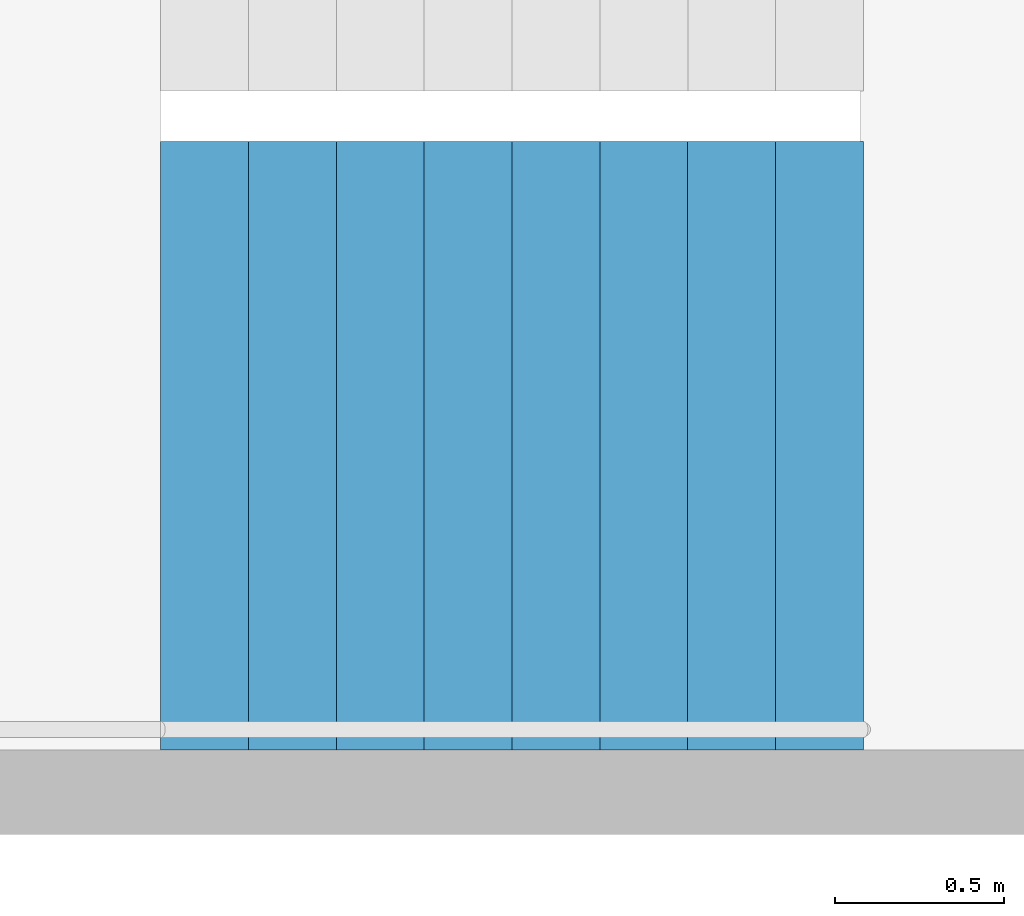
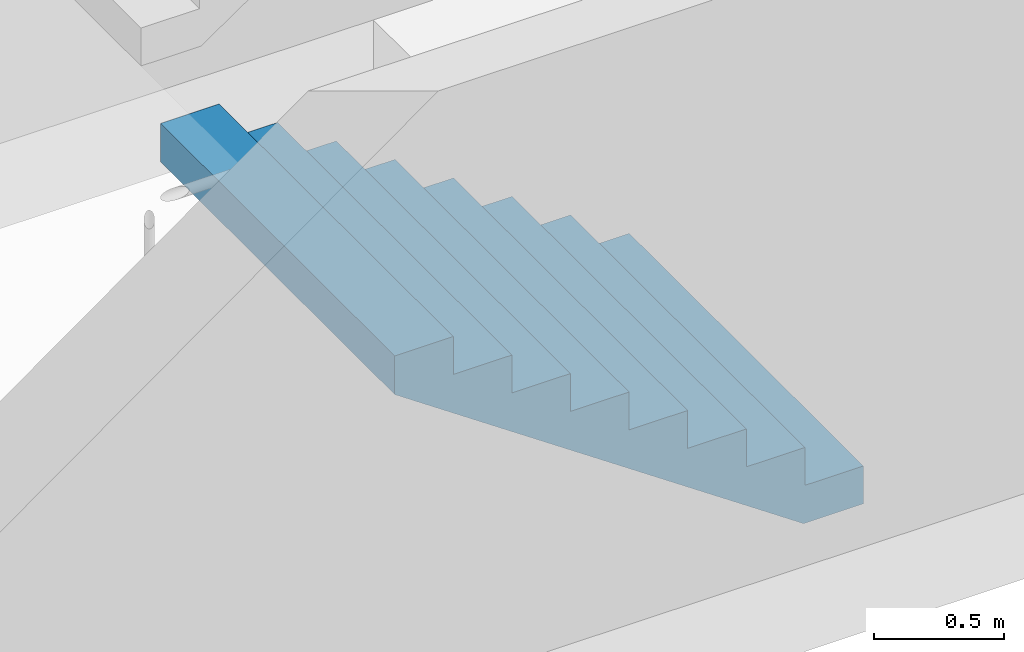
# One storey, part 27 of 29: 1 stair flight, 1 element without a shape of its own.
"""IFC4 building model written with IfcOpenShell, lengths in metres."""

import ifcopenshell
import ifcopenshell.guid

model = None  # the IFC model being written
_history = None  # IfcOwnerHistory: only IFC2X3 demands one
_inside = {}  # id of a spatial element -> (the spatial element, [elements in it])
_under = {}  # id of a project, library or spatial element -> (it, [spatial elements below it])
_declared = {}  # id of a project -> (the project, [libraries it declares])
_typed = {}  # id of a type object -> (the type object, [elements of that type])
_made_of = {}  # id of a material, layer set ... -> (it, [elements and type objects made of it])


def new_model(schema):
    """Start an empty IFC model of exactly this schema.

    Asked for "IFC4X3", IfcOpenShell would pick the latest addendum, in which some entities
    have other attributes; the version numbers below select the first issue.
    IFC2X3 requires an IfcOwnerHistory on every rooted entity: one is made here for all.
    """
    global model, _history
    if schema == "IFC4X3":
        model = ifcopenshell.file(schema_version=(4, 3, 0, 0))
    else:
        model = ifcopenshell.file(schema=schema)
    _inside.clear()
    _under.clear()
    _declared.clear()
    _typed.clear()
    _made_of.clear()
    _history = None
    if model.schema == "IFC2X3":
        org = make("IfcOrganization", Name="unknown")
        user = make(
            "IfcPersonAndOrganization",
            ThePerson=make("IfcPerson", FamilyName="unknown"),
            TheOrganization=org,
        )
        app = make(
            "IfcApplication",
            ApplicationDeveloper=org,
            Version="unknown",
            ApplicationFullName="unknown",
            ApplicationIdentifier="unknown",
        )
        _history = make(
            "IfcOwnerHistory",
            OwningUser=user,
            OwningApplication=app,
            ChangeAction="ADDED",
            CreationDate=0,
        )
    return model


def make(cls, **values):
    """One entity of the class cls with the attributes given. An attribute that is None is left unset."""
    return model.create_entity(
        cls, **{name: value for name, value in values.items() if value is not None}
    )


def rooted(cls, **values):
    """An entity with a GlobalId (a new one), such as an element, a storey or a relation."""
    return make(cls, GlobalId=ifcopenshell.guid.new(), OwnerHistory=_history, **values)


def si_unit(unit_type, name, prefix=None):
    """IfcSIUnit, for example si_unit("LENGTHUNIT", "METRE", prefix="MILLI")."""
    return make("IfcSIUnit", UnitType=unit_type, Prefix=prefix, Name=name)


def assignment(units):
    """IfcUnitAssignment: the units of a project."""
    return None if units is None else make("IfcUnitAssignment", Units=units)


def point(xyz):
    """IfcCartesianPoint."""
    return None if xyz is None else make("IfcCartesianPoint", Coordinates=xyz)


def direction(xyz):
    """IfcDirection."""
    return None if xyz is None else make("IfcDirection", DirectionRatios=xyz)


def frame(location, z_axis=None, x_axis=None):
    """IfcAxis2Placement3D, a coordinate frame: its origin and axes. An axis left out is left unset."""
    return make(
        "IfcAxis2Placement3D",
        Location=point(location),
        Axis=direction(z_axis),
        RefDirection=direction(x_axis),
    )


def origin():
    """The frame at (0, 0, 0) with its axes left unset."""
    return frame((0.0, 0.0, 0.0))


def place(relative_to, where):
    """IfcLocalPlacement: puts the frame where relative to a parent placement (None: the world)."""
    return make(
        "IfcLocalPlacement", PlacementRelTo=relative_to, RelativePlacement=where
    )


def context(
    kind, dimensions, precision=None, world=None, true_north=None, identifier=None
):
    """IfcGeometricRepresentationContext, for example the 3D "Model" context."""
    return make(
        "IfcGeometricRepresentationContext",
        ContextIdentifier=identifier,
        ContextType=kind,
        CoordinateSpaceDimension=dimensions,
        Precision=precision,
        WorldCoordinateSystem=world,
        TrueNorth=true_north,
    )


def subcontext(parent, identifier, kind, view, scale=None):
    """IfcGeometricRepresentationSubContext, for example "Body" below "Model"."""
    return make(
        "IfcGeometricRepresentationSubContext",
        ContextIdentifier=identifier,
        ContextType=kind,
        ParentContext=parent,
        TargetScale=scale,
        TargetView=view,
    )


def project(units=None, contexts=None):
    """IfcProject with its units and contexts."""
    return rooted(
        "IfcProject",
        Name="project",
        RepresentationContexts=contexts,
        UnitsInContext=assignment(units),
    )


def spatial(cls, under=None, at=None, **own):
    """A site, building, storey or space (cls), placed at a placement, below another one or the project."""
    s = rooted(cls, ObjectPlacement=at, **own)
    if under is not None:
        _under.setdefault(under.id(), (under, []))[1].append(s)
    return s


def point_list(points):
    """IfcCartesianPointList2D or 3D."""
    cls = (
        "IfcCartesianPointList2D" if len(points[0]) == 2 else "IfcCartesianPointList3D"
    )
    return make(cls, CoordList=points)


def triangles(points, corners, closed=None, point_numbers=None):
    """IfcTriangulatedFaceSet: each triangle names its three corners, points numbered from 1."""
    return make(
        "IfcTriangulatedFaceSet",
        Coordinates=point_list(points),
        Closed=closed,
        CoordIndex=corners,
        PnIndex=point_numbers,
    )


def shape(context_of_items, identifier, shape_type, items):
    """IfcShapeRepresentation: the items that make up one representation, for example the "Body"."""
    return make(
        "IfcShapeRepresentation",
        ContextOfItems=context_of_items,
        RepresentationIdentifier=identifier,
        RepresentationType=shape_type,
        Items=items,
    )


def material(Name=None, Category=None):
    """IfcMaterial."""
    return make("IfcMaterial", Name=Name, Category=Category)


def made_of(thing, what):
    """Note that an element or type object is made of a material, layer set ...; save() writes the relation."""
    if what is not None:
        _made_of.setdefault(what.id(), (what, []))[1].append(thing)
    return thing


def type_object(cls, material=None, **own):
    """A type object (cls), such as IfcWallType, which elements share."""
    return made_of(rooted(cls, **own), material)


def element(
    cls,
    number,
    at=None,
    inside=None,
    cuts=None,
    type_object=None,
    material=None,
    context=None,
    identifier="Body",
    shape_type=None,
    held_by="IfcProductDefinitionShape",
    body=None,
    shapes=None,
    **own,
):
    """One element of the class cls, such as IfcWall. Its Tag is "e" and its number.

    at: its placement. inside: the storey or other place that contains it. cuts: it is an
    opening in that element (IfcRelVoidsElement). A single representation is given by context,
    identifier, shape_type and body (its items); several are given by shapes. held_by: the class
    of the entity that holds the representations. save() writes the other relations.
    """
    e = rooted(cls, Tag="e%d" % number, ObjectPlacement=at, **own)
    if body is not None:
        shapes = [shape(context, identifier, shape_type, body)]
    if shapes is not None:
        e.Representation = make(held_by, Representations=shapes)
    if inside is not None:
        _inside.setdefault(inside.id(), (inside, []))[1].append(e)
    if cuts is not None:
        rooted(
            "IfcRelVoidsElement", RelatingBuildingElement=cuts, RelatedOpeningElement=e
        )
    if type_object is not None:
        _typed.setdefault(type_object.id(), (type_object, []))[1].append(e)
    return made_of(e, material)


def aggregate(whole, parts):
    """IfcRelAggregates: a whole, such as a stair, and the parts it consists of."""
    return rooted("IfcRelAggregates", RelatingObject=whole, RelatedObjects=parts)


def save(model, path):
    """Write the relations noted so far, then the file.

    IfcRelAggregates (storeys below a building ...), IfcRelContainedInSpatialStructure (elements
    in a storey), IfcRelDefinesByType, IfcRelAssociatesMaterial and IfcRelDeclares: one each for
    every whole, place, type object, material and project.
    """
    for whole, parts in _under.values():
        aggregate(whole, parts)
    for where, things in _inside.values():
        rooted(
            "IfcRelContainedInSpatialStructure",
            RelatedElements=things,
            RelatingStructure=where,
        )
    for kind, things in _typed.values():
        rooted("IfcRelDefinesByType", RelatedObjects=things, RelatingType=kind)
    for what, things in _made_of.values():
        rooted("IfcRelAssociatesMaterial", RelatedObjects=things, RelatingMaterial=what)
    for by, libraries in _declared.values():
        rooted("IfcRelDeclares", RelatingContext=by, RelatedDefinitions=libraries)
    model.write(path)


model = new_model("IFC4")

# Units and contexts
model_context = context("Model", 3, precision=1e-05, world=origin(), true_north=direction((0.0, 1.0)))
body_context = subcontext(model_context, "Body", "Model", "MODEL_VIEW")
ifc_project = project(units=[si_unit("LENGTHUNIT", "METRE"), si_unit("AREAUNIT", "SQUARE_METRE"), si_unit("VOLUMEUNIT", "CUBIC_METRE"), si_unit("PLANEANGLEUNIT", "RADIAN"), si_unit("MASSUNIT", "GRAM", prefix="KILO")], contexts=[model_context])

# Site, building, storey
site_placement = place(None, origin())
site = spatial("IfcSite", under=ifc_project, at=site_placement, CompositionType="ELEMENT")
building_placement = place(site_placement, origin())
building = spatial("IfcBuilding", under=site, at=building_placement, Name="Hakoniwa Tower and Hamabe Station Hall", CompositionType="ELEMENT")
storey_placement = place(building_placement, frame((0.0, 0.0, 91.39990234375)))
storey = spatial("IfcBuildingStorey", under=building, at=storey_placement, Name="L25", CompositionType="ELEMENT", Elevation=91.39990234375)

# Stair, stair flight
ifc_material_1 = material(Name="Concrete C40", Category="concrete")
stair_type = type_object("IfcStairType", Name="ESCAPE STAIR 1800", PredefinedType="HALF_TURN_STAIR", material=ifc_material_1)
stair_placement = place(storey_placement, origin())
stair = element("IfcStair", 1, at=stair_placement, inside=storey, type_object=stair_type, Name="Escape stair ST-3 L25", PredefinedType="HALF_TURN_STAIR")
ifc_material_2 = material(Name="Concrete C40", Category="concrete")
stair_flight_type = type_object("IfcStairFlightType", Name="STAIR FLIGHT 1800", PredefinedType="STRAIGHT", material=ifc_material_2)
stair_flight_placement = place(storey_placement, frame((24.39990234375, 4.64990234375, 0.0), z_axis=(0.0, 0.0, 1.0), x_axis=(-1.0, 0.0, 0.0)))
stair_flight = element("IfcStairFlight", 2, at=stair_flight_placement, type_object=stair_flight_type, Name="ST-3 flight 1", NumberOfRisers=9, NumberOfTreads=8, PredefinedType="STRAIGHT", RiserHeight=0.177777778, TreadLength=0.26, context=body_context, shape_type="Tessellation", body=[
    triangles([(0.0, 0.89990234375, 0.0), (0.260009765625, 0.89990234375, 0.0), (0.265625, 0.89990234375, 0.0), (0.52001953125, 0.89990234375, 0.174072265625), (0.780029296875, 0.89990234375, 0.351806640625), (1.0400390625, 0.89990234375, 0.529541015625), (1.300048828125, 0.89990234375, 0.707275390625), (1.56005859375, 0.89990234375, 0.885009765625), (1.820068359375, 0.89990234375, 1.062744140625), (2.080078125, 0.89990234375, 1.24072265625), (2.080078125, 0.89990234375, 1.422119140625), (1.820068359375, 0.89990234375, 1.422119140625), (1.820068359375, 0.89990234375, 1.244384765625), (1.56005859375, 0.89990234375, 1.244384765625), (1.56005859375, 0.89990234375, 1.066650390625), (1.300048828125, 0.89990234375, 1.066650390625), (1.300048828125, 0.89990234375, 0.888916015625), (1.0400390625, 0.89990234375, 0.888916015625), (1.0400390625, 0.89990234375, 0.711181640625), (0.780029296875, 0.89990234375, 0.711181640625), (0.780029296875, 0.89990234375, 0.533447265625), (0.52001953125, 0.89990234375, 0.533447265625), (0.52001953125, 0.89990234375, 0.35546875), (0.265625, 0.89990234375, 0.35546875), (0.260009765625, 0.89990234375, 0.35546875), (0.260009765625, 0.89990234375, 0.177734375), (0.0, 0.89990234375, 0.177734375), (0.0, 0.06005859375, 0.0), (0.260009765625, 0.06005859375, 0.0), (0.265625, 0.06005859375, 0.0), (0.52001953125, 0.06005859375, 0.174072265625), (0.780029296875, 0.06005859375, 0.351806640625), (1.0400390625, 0.06005859375, 0.529541015625), (1.300048828125, 0.06005859375, 0.707275390625), (1.56005859375, 0.06005859375, 0.885009765625), (1.820068359375, 0.06005859375, 1.062744140625), (2.080078125, 0.06005859375, 1.24072265625), (2.080078125, 0.06005859375, 1.422119140625), (1.820068359375, 0.06005859375, 1.422119140625), (1.820068359375, 0.06005859375, 1.244384765625), (1.56005859375, 0.06005859375, 1.244384765625), (1.56005859375, 0.06005859375, 1.066650390625), (1.300048828125, 0.06005859375, 1.066650390625), (1.300048828125, 0.06005859375, 0.888916015625), (1.0400390625, 0.06005859375, 0.888916015625), (1.0400390625, 0.06005859375, 0.711181640625), (0.780029296875, 0.06005859375, 0.711181640625), (0.780029296875, 0.06005859375, 0.533447265625), (0.52001953125, 0.06005859375, 0.533447265625), (0.52001953125, 0.06005859375, 0.35546875), (0.265625, 0.06005859375, 0.35546875), (0.260009765625, 0.06005859375, 0.35546875), (0.260009765625, 0.06005859375, 0.177734375), (0.0, 0.06005859375, 0.177734375), (0.0, 0.04296875, 0.0), (0.260009765625, 0.04296875, 0.0), (0.265625, 0.04296875, 0.0), (0.52001953125, 0.04296875, 0.174072265625), (0.780029296875, 0.04296875, 0.351806640625), (1.0400390625, 0.04296875, 0.529541015625), (1.300048828125, 0.04296875, 0.707275390625), (1.56005859375, 0.04296875, 0.885009765625), (1.820068359375, 0.04296875, 1.062744140625), (2.080078125, 0.04296875, 1.24072265625), (2.080078125, 0.04296875, 1.422119140625), (1.820068359375, 0.04296875, 1.422119140625), (1.820068359375, 0.04296875, 1.244384765625), (1.56005859375, 0.04296875, 1.244384765625), (1.56005859375, 0.04296875, 1.066650390625), (1.300048828125, 0.04296875, 1.066650390625), (1.300048828125, 0.04296875, 0.888916015625), (1.0400390625, 0.04296875, 0.888916015625), (1.0400390625, 0.04296875, 0.711181640625), (0.780029296875, 0.04296875, 0.711181640625), (0.780029296875, 0.04296875, 0.533447265625), (0.52001953125, 0.04296875, 0.533447265625), (0.52001953125, 0.04296875, 0.35546875), (0.265625, 0.04296875, 0.35546875), (0.260009765625, 0.04296875, 0.35546875), (0.260009765625, 0.04296875, 0.177734375), (0.0, 0.04296875, 0.177734375), (0.0, 0.025634765625, 0.0), (0.260009765625, 0.025634765625, 0.0), (0.265625, 0.025634765625, 0.0), (0.52001953125, 0.025634765625, 0.174072265625), (0.780029296875, 0.025634765625, 0.351806640625), (1.0400390625, 0.025634765625, 0.529541015625), (1.300048828125, 0.025634765625, 0.707275390625), (1.56005859375, 0.025634765625, 0.885009765625), (1.820068359375, 0.025634765625, 1.062744140625), (2.080078125, 0.025634765625, 1.24072265625), (2.080078125, 0.025634765625, 1.422119140625), (1.820068359375, 0.025634765625, 1.422119140625), (1.820068359375, 0.025634765625, 1.244384765625), (1.56005859375, 0.025634765625, 1.244384765625), (1.56005859375, 0.025634765625, 1.066650390625), (1.300048828125, 0.025634765625, 1.066650390625), (1.300048828125, 0.025634765625, 0.888916015625), (1.0400390625, 0.025634765625, 0.888916015625), (1.0400390625, 0.025634765625, 0.711181640625), (0.780029296875, 0.025634765625, 0.711181640625), (0.780029296875, 0.025634765625, 0.533447265625), (0.52001953125, 0.025634765625, 0.533447265625), (0.52001953125, 0.025634765625, 0.35546875), (0.265625, 0.025634765625, 0.35546875), (0.260009765625, 0.025634765625, 0.35546875), (0.260009765625, 0.025634765625, 0.177734375), (0.0, 0.025634765625, 0.177734375), (0.0, 0.008544921875, 0.0), (0.260009765625, 0.008544921875, 0.0), (0.265625, 0.008544921875, 0.0), (0.52001953125, 0.008544921875, 0.174072265625), (0.780029296875, 0.008544921875, 0.351806640625), (1.0400390625, 0.008544921875, 0.529541015625), (1.300048828125, 0.008544921875, 0.707275390625), (1.56005859375, 0.008544921875, 0.885009765625), (1.820068359375, 0.008544921875, 1.062744140625), (2.080078125, 0.008544921875, 1.24072265625), (2.080078125, 0.008544921875, 1.422119140625), (1.820068359375, 0.008544921875, 1.422119140625), (1.820068359375, 0.008544921875, 1.244384765625), (1.56005859375, 0.008544921875, 1.244384765625), (1.56005859375, 0.008544921875, 1.066650390625), (1.300048828125, 0.008544921875, 1.066650390625), (1.300048828125, 0.008544921875, 0.888916015625), (1.0400390625, 0.008544921875, 0.888916015625), (1.0400390625, 0.008544921875, 0.711181640625), (0.780029296875, 0.008544921875, 0.711181640625), (0.780029296875, 0.008544921875, 0.533447265625), (0.52001953125, 0.008544921875, 0.533447265625), (0.52001953125, 0.008544921875, 0.35546875), (0.265625, 0.008544921875, 0.35546875), (0.260009765625, 0.008544921875, 0.35546875), (0.260009765625, 0.008544921875, 0.177734375), (0.0, 0.008544921875, 0.177734375), (0.0, -0.008544921875, 0.0), (0.260009765625, -0.008544921875, 0.0), (0.265625, -0.008544921875, 0.0), (0.52001953125, -0.008544921875, 0.174072265625), (0.780029296875, -0.008544921875, 0.351806640625), (1.0400390625, -0.008544921875, 0.529541015625), (1.300048828125, -0.008544921875, 0.707275390625), (1.56005859375, -0.008544921875, 0.885009765625), (1.820068359375, -0.008544921875, 1.062744140625), (2.080078125, -0.008544921875, 1.24072265625), (2.080078125, -0.008544921875, 1.422119140625), (1.820068359375, -0.008544921875, 1.422119140625), (1.820068359375, -0.008544921875, 1.244384765625), (1.56005859375, -0.008544921875, 1.244384765625), (1.56005859375, -0.008544921875, 1.066650390625), (1.300048828125, -0.008544921875, 1.066650390625), (1.300048828125, -0.008544921875, 0.888916015625), (1.0400390625, -0.008544921875, 0.888916015625), (1.0400390625, -0.008544921875, 0.711181640625), (0.780029296875, -0.008544921875, 0.711181640625), (0.780029296875, -0.008544921875, 0.533447265625), (0.52001953125, -0.008544921875, 0.533447265625), (0.52001953125, -0.008544921875, 0.35546875), (0.265625, -0.008544921875, 0.35546875), (0.260009765625, -0.008544921875, 0.35546875), (0.260009765625, -0.008544921875, 0.177734375), (0.0, -0.008544921875, 0.177734375), (0.0, -0.025634765625, 0.0), (0.260009765625, -0.025634765625, 0.0), (0.265625, -0.025634765625, 0.0), (0.52001953125, -0.025634765625, 0.174072265625), (0.780029296875, -0.025634765625, 0.351806640625), (1.0400390625, -0.025634765625, 0.529541015625), (1.300048828125, -0.025634765625, 0.707275390625), (1.56005859375, -0.025634765625, 0.885009765625), (1.820068359375, -0.025634765625, 1.062744140625), (2.080078125, -0.025634765625, 1.24072265625), (2.080078125, -0.025634765625, 1.422119140625), (1.820068359375, -0.025634765625, 1.422119140625), (1.820068359375, -0.025634765625, 1.244384765625), (1.56005859375, -0.025634765625, 1.244384765625), (1.56005859375, -0.025634765625, 1.066650390625), (1.300048828125, -0.025634765625, 1.066650390625), (1.300048828125, -0.025634765625, 0.888916015625), (1.0400390625, -0.025634765625, 0.888916015625), (1.0400390625, -0.025634765625, 0.711181640625), (0.780029296875, -0.025634765625, 0.711181640625), (0.780029296875, -0.025634765625, 0.533447265625), (0.52001953125, -0.025634765625, 0.533447265625), (0.52001953125, -0.025634765625, 0.35546875), (0.265625, -0.025634765625, 0.35546875), (0.260009765625, -0.025634765625, 0.35546875), (0.260009765625, -0.025634765625, 0.177734375), (0.0, -0.025634765625, 0.177734375), (0.0, -0.04296875, 0.0), (0.260009765625, -0.04296875, 0.0), (0.265625, -0.04296875, 0.0), (0.52001953125, -0.04296875, 0.174072265625), (0.780029296875, -0.04296875, 0.351806640625), (1.0400390625, -0.04296875, 0.529541015625), (1.300048828125, -0.04296875, 0.707275390625), (1.56005859375, -0.04296875, 0.885009765625), (1.820068359375, -0.04296875, 1.062744140625), (2.080078125, -0.04296875, 1.24072265625), (2.080078125, -0.04296875, 1.422119140625), (1.820068359375, -0.04296875, 1.422119140625), (1.820068359375, -0.04296875, 1.244384765625), (1.56005859375, -0.04296875, 1.244384765625), (1.56005859375, -0.04296875, 1.066650390625), (1.300048828125, -0.04296875, 1.066650390625), (1.300048828125, -0.04296875, 0.888916015625), (1.0400390625, -0.04296875, 0.888916015625), (1.0400390625, -0.04296875, 0.711181640625), (0.780029296875, -0.04296875, 0.711181640625), (0.780029296875, -0.04296875, 0.533447265625), (0.52001953125, -0.04296875, 0.533447265625), (0.52001953125, -0.04296875, 0.35546875), (0.265625, -0.04296875, 0.35546875), (0.260009765625, -0.04296875, 0.35546875), (0.260009765625, -0.04296875, 0.177734375), (0.0, -0.04296875, 0.177734375), (0.0, -0.06005859375, 0.0), (0.260009765625, -0.06005859375, 0.0), (0.265625, -0.06005859375, 0.0), (0.52001953125, -0.06005859375, 0.174072265625), (0.780029296875, -0.06005859375, 0.351806640625), (1.0400390625, -0.06005859375, 0.529541015625), (1.300048828125, -0.06005859375, 0.707275390625), (1.56005859375, -0.06005859375, 0.885009765625), (1.820068359375, -0.06005859375, 1.062744140625), (2.080078125, -0.06005859375, 1.24072265625), (2.080078125, -0.06005859375, 1.422119140625), (1.820068359375, -0.06005859375, 1.422119140625), (1.820068359375, -0.06005859375, 1.244384765625), (1.56005859375, -0.06005859375, 1.244384765625), (1.56005859375, -0.06005859375, 1.066650390625), (1.300048828125, -0.06005859375, 1.066650390625), (1.300048828125, -0.06005859375, 0.888916015625), (1.0400390625, -0.06005859375, 0.888916015625), (1.0400390625, -0.06005859375, 0.711181640625), (0.780029296875, -0.06005859375, 0.711181640625), (0.780029296875, -0.06005859375, 0.533447265625), (0.52001953125, -0.06005859375, 0.533447265625), (0.52001953125, -0.06005859375, 0.35546875), (0.265625, -0.06005859375, 0.35546875), (0.260009765625, -0.06005859375, 0.35546875), (0.260009765625, -0.06005859375, 0.177734375), (0.0, -0.06005859375, 0.177734375), (0.0, -0.89990234375, 0.0), (0.260009765625, -0.89990234375, 0.0), (0.265625, -0.89990234375, 0.0), (0.52001953125, -0.89990234375, 0.174072265625), (0.780029296875, -0.89990234375, 0.351806640625), (1.0400390625, -0.89990234375, 0.529541015625), (1.300048828125, -0.89990234375, 0.707275390625), (1.56005859375, -0.89990234375, 0.885009765625), (1.820068359375, -0.89990234375, 1.062744140625), (2.080078125, -0.89990234375, 1.24072265625), (2.080078125, -0.89990234375, 1.422119140625), (1.820068359375, -0.89990234375, 1.422119140625), (1.820068359375, -0.89990234375, 1.244384765625), (1.56005859375, -0.89990234375, 1.244384765625), (1.56005859375, -0.89990234375, 1.066650390625), (1.300048828125, -0.89990234375, 1.066650390625), (1.300048828125, -0.89990234375, 0.888916015625), (1.0400390625, -0.89990234375, 0.888916015625), (1.0400390625, -0.89990234375, 0.711181640625), (0.780029296875, -0.89990234375, 0.711181640625), (0.780029296875, -0.89990234375, 0.533447265625), (0.52001953125, -0.89990234375, 0.533447265625), (0.52001953125, -0.89990234375, 0.35546875), (0.265625, -0.89990234375, 0.35546875), (0.260009765625, -0.89990234375, 0.35546875), (0.260009765625, -0.89990234375, 0.177734375), (0.0, -0.89990234375, 0.177734375)], [[2, 27, 26], [245, 269, 270], [2, 1, 27], [245, 270, 244], [3, 25, 24], [246, 267, 268], [3, 26, 25], [246, 268, 269], [3, 2, 26], [246, 269, 245], [4, 24, 23], [247, 266, 267], [4, 3, 24], [247, 267, 246], [5, 22, 21], [248, 264, 265], [5, 23, 22], [248, 265, 266], [5, 4, 23], [248, 266, 247], [6, 20, 19], [249, 262, 263], [6, 21, 20], [249, 263, 264], [6, 5, 21], [249, 264, 248], [7, 18, 17], [250, 260, 261], [7, 19, 18], [250, 261, 262], [7, 6, 19], [250, 262, 249], [8, 16, 15], [251, 258, 259], [8, 17, 16], [251, 259, 260], [8, 7, 17], [251, 260, 250], [9, 14, 13], [252, 256, 257], [9, 15, 14], [252, 257, 258], [9, 8, 15], [252, 258, 251], [10, 12, 11], [253, 254, 255], [10, 13, 12], [253, 255, 256], [10, 9, 13], [253, 256, 252], [1, 2, 29], [1, 29, 28], [28, 29, 56], [28, 56, 55], [55, 56, 83], [55, 83, 82], [82, 83, 110], [82, 110, 109], [109, 110, 137], [109, 137, 136], [136, 137, 164], [136, 164, 163], [163, 164, 191], [163, 191, 190], [190, 191, 218], [190, 218, 217], [217, 218, 245], [217, 245, 244], [2, 3, 30], [2, 30, 29], [29, 30, 57], [29, 57, 56], [56, 57, 84], [56, 84, 83], [83, 84, 111], [83, 111, 110], [110, 111, 138], [110, 138, 137], [137, 138, 165], [137, 165, 164], [164, 165, 192], [164, 192, 191], [191, 192, 219], [191, 219, 218], [218, 219, 246], [218, 246, 245], [3, 4, 31], [3, 31, 30], [30, 31, 58], [30, 58, 57], [57, 58, 85], [57, 85, 84], [84, 85, 112], [84, 112, 111], [111, 112, 139], [111, 139, 138], [138, 139, 166], [138, 166, 165], [165, 166, 193], [165, 193, 192], [192, 193, 220], [192, 220, 219], [219, 220, 247], [219, 247, 246], [4, 5, 32], [4, 32, 31], [31, 32, 59], [31, 59, 58], [58, 59, 86], [58, 86, 85], [85, 86, 113], [85, 113, 112], [112, 113, 140], [112, 140, 139], [139, 140, 167], [139, 167, 166], [166, 167, 194], [166, 194, 193], [193, 194, 221], [193, 221, 220], [220, 221, 248], [220, 248, 247], [5, 6, 33], [5, 33, 32], [32, 33, 60], [32, 60, 59], [59, 60, 87], [59, 87, 86], [86, 87, 114], [86, 114, 113], [113, 114, 141], [113, 141, 140], [140, 141, 168], [140, 168, 167], [167, 168, 195], [167, 195, 194], [194, 195, 222], [194, 222, 221], [221, 222, 249], [221, 249, 248], [6, 7, 34], [6, 34, 33], [33, 34, 61], [33, 61, 60], [60, 61, 88], [60, 88, 87], [87, 88, 115], [87, 115, 114], [114, 115, 142], [114, 142, 141], [141, 142, 169], [141, 169, 168], [168, 169, 196], [168, 196, 195], [195, 196, 223], [195, 223, 222], [222, 223, 250], [222, 250, 249], [7, 8, 35], [7, 35, 34], [34, 35, 62], [34, 62, 61], [61, 62, 89], [61, 89, 88], [88, 89, 116], [88, 116, 115], [115, 116, 143], [115, 143, 142], [142, 143, 170], [142, 170, 169], [169, 170, 197], [169, 197, 196], [196, 197, 224], [196, 224, 223], [223, 224, 251], [223, 251, 250], [8, 9, 36], [8, 36, 35], [35, 36, 63], [35, 63, 62], [62, 63, 90], [62, 90, 89], [89, 90, 117], [89, 117, 116], [116, 117, 144], [116, 144, 143], [143, 144, 171], [143, 171, 170], [170, 171, 198], [170, 198, 197], [197, 198, 225], [197, 225, 224], [224, 225, 252], [224, 252, 251], [9, 10, 37], [9, 37, 36], [36, 37, 64], [36, 64, 63], [63, 64, 91], [63, 91, 90], [90, 91, 118], [90, 118, 117], [117, 118, 145], [117, 145, 144], [144, 145, 172], [144, 172, 171], [171, 172, 199], [171, 199, 198], [198, 199, 226], [198, 226, 225], [225, 226, 253], [225, 253, 252], [10, 11, 38], [10, 38, 37], [37, 38, 65], [37, 65, 64], [64, 65, 92], [64, 92, 91], [91, 92, 119], [91, 119, 118], [118, 119, 146], [118, 146, 145], [145, 146, 173], [145, 173, 172], [172, 173, 200], [172, 200, 199], [199, 200, 227], [199, 227, 226], [226, 227, 254], [226, 254, 253], [11, 12, 39], [11, 39, 38], [38, 39, 66], [38, 66, 65], [65, 66, 93], [65, 93, 92], [92, 93, 120], [92, 120, 119], [119, 120, 147], [119, 147, 146], [146, 147, 174], [146, 174, 173], [173, 174, 201], [173, 201, 200], [200, 201, 228], [200, 228, 227], [227, 228, 255], [227, 255, 254], [12, 13, 40], [12, 40, 39], [39, 40, 67], [39, 67, 66], [66, 67, 94], [66, 94, 93], [93, 94, 121], [93, 121, 120], [120, 121, 148], [120, 148, 147], [147, 148, 175], [147, 175, 174], [174, 175, 202], [174, 202, 201], [201, 202, 229], [201, 229, 228], [228, 229, 256], [228, 256, 255], [13, 14, 41], [13, 41, 40], [40, 41, 68], [40, 68, 67], [67, 68, 95], [67, 95, 94], [94, 95, 122], [94, 122, 121], [121, 122, 149], [121, 149, 148], [148, 149, 176], [148, 176, 175], [175, 176, 203], [175, 203, 202], [202, 203, 230], [202, 230, 229], [229, 230, 257], [229, 257, 256], [14, 15, 42], [14, 42, 41], [41, 42, 69], [41, 69, 68], [68, 69, 96], [68, 96, 95], [95, 96, 123], [95, 123, 122], [122, 123, 150], [122, 150, 149], [149, 150, 177], [149, 177, 176], [176, 177, 204], [176, 204, 203], [203, 204, 231], [203, 231, 230], [230, 231, 258], [230, 258, 257], [15, 16, 43], [15, 43, 42], [42, 43, 70], [42, 70, 69], [69, 70, 97], [69, 97, 96], [96, 97, 124], [96, 124, 123], [123, 124, 151], [123, 151, 150], [150, 151, 178], [150, 178, 177], [177, 178, 205], [177, 205, 204], [204, 205, 232], [204, 232, 231], [231, 232, 259], [231, 259, 258], [16, 17, 44], [16, 44, 43], [43, 44, 71], [43, 71, 70], [70, 71, 98], [70, 98, 97], [97, 98, 125], [97, 125, 124], [124, 125, 152], [124, 152, 151], [151, 152, 179], [151, 179, 178], [178, 179, 206], [178, 206, 205], [205, 206, 233], [205, 233, 232], [232, 233, 260], [232, 260, 259], [17, 18, 45], [17, 45, 44], [44, 45, 72], [44, 72, 71], [71, 72, 99], [71, 99, 98], [98, 99, 126], [98, 126, 125], [125, 126, 153], [125, 153, 152], [152, 153, 180], [152, 180, 179], [179, 180, 207], [179, 207, 206], [206, 207, 234], [206, 234, 233], [233, 234, 261], [233, 261, 260], [18, 19, 46], [18, 46, 45], [45, 46, 73], [45, 73, 72], [72, 73, 100], [72, 100, 99], [99, 100, 127], [99, 127, 126], [126, 127, 154], [126, 154, 153], [153, 154, 181], [153, 181, 180], [180, 181, 208], [180, 208, 207], [207, 208, 235], [207, 235, 234], [234, 235, 262], [234, 262, 261], [19, 20, 47], [19, 47, 46], [46, 47, 74], [46, 74, 73], [73, 74, 101], [73, 101, 100], [100, 101, 128], [100, 128, 127], [127, 128, 155], [127, 155, 154], [154, 155, 182], [154, 182, 181], [181, 182, 209], [181, 209, 208], [208, 209, 236], [208, 236, 235], [235, 236, 263], [235, 263, 262], [20, 21, 48], [20, 48, 47], [47, 48, 75], [47, 75, 74], [74, 75, 102], [74, 102, 101], [101, 102, 129], [101, 129, 128], [128, 129, 156], [128, 156, 155], [155, 156, 183], [155, 183, 182], [182, 183, 210], [182, 210, 209], [209, 210, 237], [209, 237, 236], [236, 237, 264], [236, 264, 263], [21, 22, 49], [21, 49, 48], [48, 49, 76], [48, 76, 75], [75, 76, 103], [75, 103, 102], [102, 103, 130], [102, 130, 129], [129, 130, 157], [129, 157, 156], [156, 157, 184], [156, 184, 183], [183, 184, 211], [183, 211, 210], [210, 211, 238], [210, 238, 237], [237, 238, 265], [237, 265, 264], [22, 23, 50], [22, 50, 49], [49, 50, 77], [49, 77, 76], [76, 77, 104], [76, 104, 103], [103, 104, 131], [103, 131, 130], [130, 131, 158], [130, 158, 157], [157, 158, 185], [157, 185, 184], [184, 185, 212], [184, 212, 211], [211, 212, 239], [211, 239, 238], [238, 239, 266], [238, 266, 265], [23, 24, 51], [23, 51, 50], [50, 51, 78], [50, 78, 77], [77, 78, 105], [77, 105, 104], [104, 105, 132], [104, 132, 131], [131, 132, 159], [131, 159, 158], [158, 159, 186], [158, 186, 185], [185, 186, 213], [185, 213, 212], [212, 213, 240], [212, 240, 239], [239, 240, 267], [239, 267, 266], [24, 25, 52], [24, 52, 51], [51, 52, 79], [51, 79, 78], [78, 79, 106], [78, 106, 105], [105, 106, 133], [105, 133, 132], [132, 133, 160], [132, 160, 159], [159, 160, 187], [159, 187, 186], [186, 187, 214], [186, 214, 213], [213, 214, 241], [213, 241, 240], [240, 241, 268], [240, 268, 267], [25, 26, 53], [25, 53, 52], [52, 53, 80], [52, 80, 79], [79, 80, 107], [79, 107, 106], [106, 107, 134], [106, 134, 133], [133, 134, 161], [133, 161, 160], [160, 161, 188], [160, 188, 187], [187, 188, 215], [187, 215, 214], [214, 215, 242], [214, 242, 241], [241, 242, 269], [241, 269, 268], [26, 27, 54], [26, 54, 53], [53, 54, 81], [53, 81, 80], [80, 81, 108], [80, 108, 107], [107, 108, 135], [107, 135, 134], [134, 135, 162], [134, 162, 161], [161, 162, 189], [161, 189, 188], [188, 189, 216], [188, 216, 215], [215, 216, 243], [215, 243, 242], [242, 243, 270], [242, 270, 269], [27, 1, 28], [27, 28, 54], [54, 28, 55], [54, 55, 81], [81, 55, 82], [81, 82, 108], [108, 82, 109], [108, 109, 135], [135, 109, 136], [135, 136, 162], [162, 136, 163], [162, 163, 189], [189, 163, 190], [189, 190, 216], [216, 190, 217], [216, 217, 243], [243, 217, 244], [243, 244, 270]], closed=True),
])
aggregate(stair, [stair_flight])

save(model, "model.ifc")
